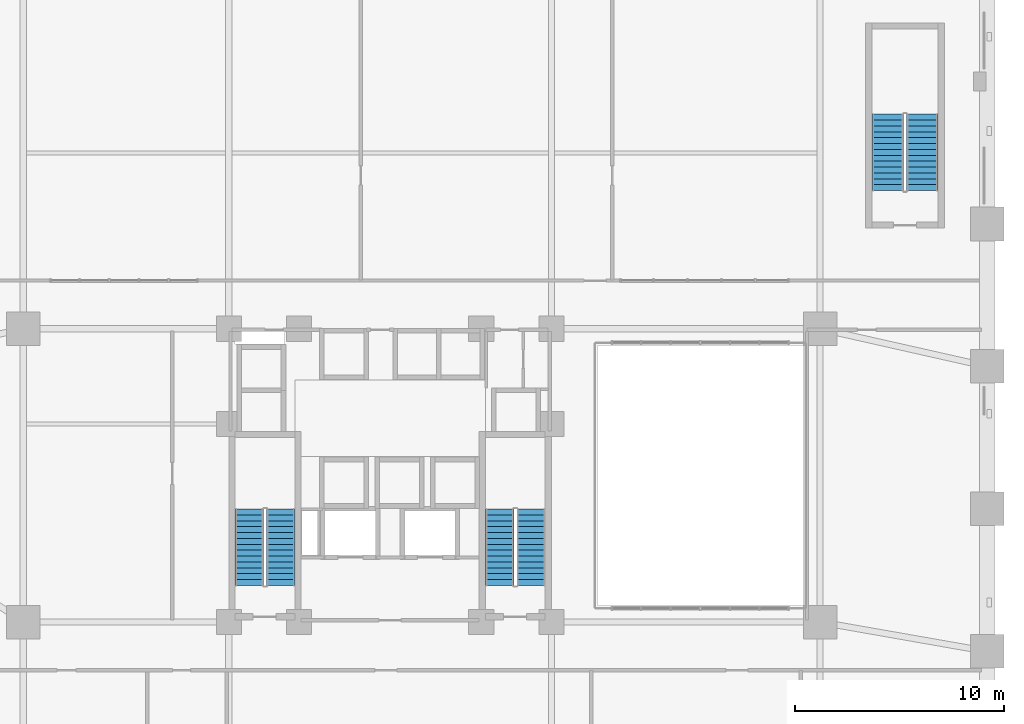
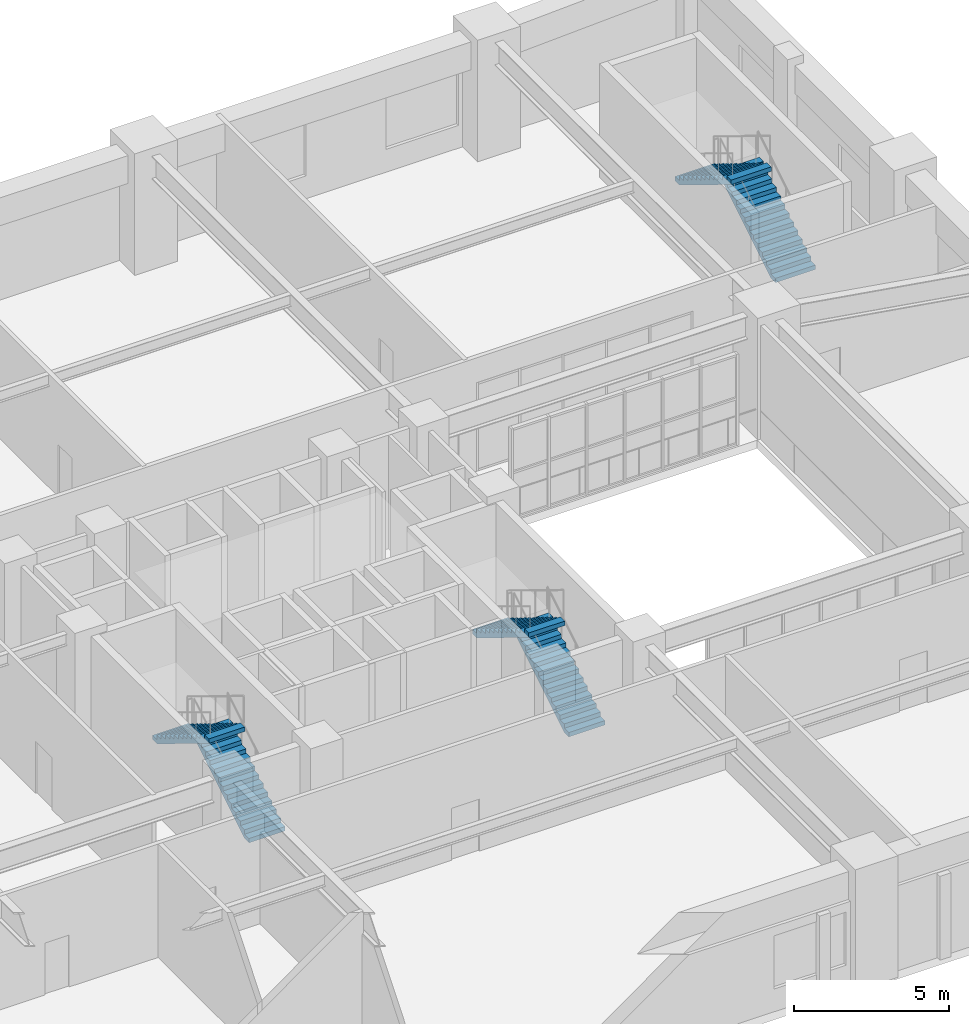
# One storey, part 9 of 13: 6 stair flights, 3 elements without a shape of their own.
"""IFC4 building model written with IfcOpenShell, lengths in metres."""

from ifc_helpers import new_model, si_unit, derived_unit, direction, frame, origin, place, context, subcontext, project, spatial, polyline, outline, extrude, material, type_object, element, aggregate, save


model = new_model("IFC4")

# Units and contexts
model_context = context("Model", 3, precision=1e-05, world=origin(), true_north=direction((0.0, 1.0)))
body_context = subcontext(model_context, "Body", "Model", "MODEL_VIEW")
ifc_project = project(units=[si_unit("LENGTHUNIT", "METRE"), si_unit("AREAUNIT", "SQUARE_METRE"), si_unit("VOLUMEUNIT", "CUBIC_METRE"), si_unit("PLANEANGLEUNIT", "RADIAN"), si_unit("MASSUNIT", "GRAM", prefix="KILO"), derived_unit("THERMALTRANSMITTANCEUNIT", [(si_unit("MASSUNIT", "GRAM", prefix="KILO"), 1), (si_unit("TIMEUNIT", "SECOND"), -3), (si_unit("THERMODYNAMICTEMPERATUREUNIT", "KELVIN"), -1)])], contexts=[model_context])

# Site, building, storey
site_placement = place(None, origin())
site = spatial("IfcSite", under=ifc_project, at=site_placement, CompositionType="ELEMENT")
building_placement = place(site_placement, origin())
building = spatial("IfcBuilding", under=site, at=building_placement, Name="Korrvale Station Residences", CompositionType="ELEMENT")
storey_placement = place(building_placement, frame((0.0, 0.0, 11.199951171875)))
storey = spatial("IfcBuildingStorey", under=building, at=storey_placement, Name="L02", CompositionType="ELEMENT", Elevation=11.199951171875)

# Stair, stair flights
ifc_material = material(Name="Concrete C50/60", Category="concrete")
stair_type_1 = type_object("IfcStairType", Name="STR-DL-1350-28R-1714", PredefinedType="HALF_TURN_STAIR", material=ifc_material)
stair_1_placement = place(storey_placement, origin())
stair_1 = element("IfcStair", 1, at=stair_1_placement, inside=storey, type_object=stair_type_1, Name="L02 Exit Stair 1", PredefinedType="HALF_TURN_STAIR")
stair_flight_type_1 = type_object("IfcStairFlightType", Name="FLT-DL-1350-28R-1714", PredefinedType="STRAIGHT", material=ifc_material)
stair_flight_1_placement = place(storey_placement, frame((20.27490234375, 16.75, 0.0), z_axis=(0.0, 0.0, 1.0), x_axis=(0.0, 1.0, 0.0)))
stair_flight_1 = element("IfcStairFlight", 2, at=stair_flight_1_placement, type_object=stair_flight_type_1, Name="ST-1 flight 1", NumberOfRisers=14, NumberOfTreads=13, PredefinedType="STRAIGHT", RiserHeight=0.171428571, TreadLength=0.28, context=body_context, shape_type="SweptSolid", body=[
    extrude(outline(polyline([(0.0, 0.0), (0.0, 0.17138671875), (0.280029296875, 0.17138671875), (0.280029296875, 0.3427734375), (0.56005859375, 0.3427734375), (0.56005859375, 0.514404296875), (0.840087890625, 0.514404296875), (0.840087890625, 0.685791015625), (1.1201171875, 0.685791015625), (1.1201171875, 0.857177734375), (1.39990234375, 0.857177734375), (1.39990234375, 1.028564453125), (1.679931640625, 1.028564453125), (1.679931640625, 1.199951171875), (1.9599609375, 1.199951171875), (1.9599609375, 1.371337890625), (2.239990234375, 1.371337890625), (2.239990234375, 1.54296875), (2.52001953125, 1.54296875), (2.52001953125, 1.71435546875), (2.800048828125, 1.71435546875), (2.800048828125, 1.8857421875), (3.080078125, 1.8857421875), (3.080078125, 2.05712890625), (3.360107421875, 2.05712890625), (3.360107421875, 2.228515625), (3.639892578125, 2.228515625), (3.639892578125, 2.39990234375), (3.639892578125, 2.052734375), (0.287109375, 0.0), (0.0, 0.0)])), frame((0.0, 0.675048828125, 0.0), z_axis=(0.0, -1.0, 0.0), x_axis=(1.0, 0.0, 0.0)), (0.0, 0.0, 1.0), 1.35009765625),
])
stair_flight_2_placement = place(storey_placement, frame((18.77490234375, 20.389892578125, 2.400146484375), z_axis=(0.0, 0.0, 1.0), x_axis=(0.0, -1.0, 0.0)))
stair_flight_2 = element("IfcStairFlight", 3, at=stair_flight_2_placement, type_object=stair_flight_type_1, Name="ST-1 flight 2", NumberOfRisers=14, NumberOfTreads=13, PredefinedType="STRAIGHT", RiserHeight=0.171428571, TreadLength=0.28, context=body_context, shape_type="SweptSolid", body=[
    extrude(outline(polyline([(0.0, 0.0), (0.0, 0.17138671875), (0.280029296875, 0.17138671875), (0.280029296875, 0.3427734375), (0.56005859375, 0.3427734375), (0.56005859375, 0.514404296875), (0.840087890625, 0.514404296875), (0.840087890625, 0.685791015625), (1.1201171875, 0.685791015625), (1.1201171875, 0.857177734375), (1.39990234375, 0.857177734375), (1.39990234375, 1.028564453125), (1.679931640625, 1.028564453125), (1.679931640625, 1.199951171875), (1.9599609375, 1.199951171875), (1.9599609375, 1.371337890625), (2.239990234375, 1.371337890625), (2.239990234375, 1.54296875), (2.52001953125, 1.54296875), (2.52001953125, 1.71435546875), (2.800048828125, 1.71435546875), (2.800048828125, 1.8857421875), (3.080078125, 1.8857421875), (3.080078125, 2.05712890625), (3.360107421875, 2.05712890625), (3.360107421875, 2.228515625), (3.639892578125, 2.228515625), (3.639892578125, 2.39990234375), (3.639892578125, 2.052734375), (0.287109375, 0.0), (0.0, 0.0)])), frame((0.0, 0.675048828125, 0.0), z_axis=(0.0, -1.0, 0.0), x_axis=(1.0, 0.0, 0.0)), (0.0, 0.0, 1.0), 1.35009765625),
])
aggregate(stair_1, [stair_flight_1, stair_flight_2])

stair_2_placement = place(storey_placement, origin())
stair_2 = element("IfcStair", 4, at=stair_2_placement, inside=storey, type_object=stair_type_1, Name="L02 Exit Stair 2", PredefinedType="HALF_TURN_STAIR")
stair_flight_3_placement = place(storey_placement, frame((32.22509765625, 16.75, 0.0), z_axis=(0.0, 0.0, 1.0), x_axis=(0.0, 1.0, 0.0)))
stair_flight_3 = element("IfcStairFlight", 5, at=stair_flight_3_placement, type_object=stair_flight_type_1, Name="ST-2 flight 1", NumberOfRisers=14, NumberOfTreads=13, PredefinedType="STRAIGHT", RiserHeight=0.171428571, TreadLength=0.28, context=body_context, shape_type="SweptSolid", body=[
    extrude(outline(polyline([(0.0, 0.0), (0.0, 0.17138671875), (0.280029296875, 0.17138671875), (0.280029296875, 0.3427734375), (0.56005859375, 0.3427734375), (0.56005859375, 0.514404296875), (0.840087890625, 0.514404296875), (0.840087890625, 0.685791015625), (1.1201171875, 0.685791015625), (1.1201171875, 0.857177734375), (1.39990234375, 0.857177734375), (1.39990234375, 1.028564453125), (1.679931640625, 1.028564453125), (1.679931640625, 1.199951171875), (1.9599609375, 1.199951171875), (1.9599609375, 1.371337890625), (2.239990234375, 1.371337890625), (2.239990234375, 1.54296875), (2.52001953125, 1.54296875), (2.52001953125, 1.71435546875), (2.800048828125, 1.71435546875), (2.800048828125, 1.8857421875), (3.080078125, 1.8857421875), (3.080078125, 2.05712890625), (3.360107421875, 2.05712890625), (3.360107421875, 2.228515625), (3.639892578125, 2.228515625), (3.639892578125, 2.39990234375), (3.639892578125, 2.052734375), (0.287109375, 0.0), (0.0, 0.0)])), frame((0.0, 0.675048828125, 0.0), z_axis=(0.0, -1.0, 0.0), x_axis=(1.0, 0.0, 0.0)), (0.0, 0.0, 1.0), 1.35009765625),
])
stair_flight_4_placement = place(storey_placement, frame((30.72509765625, 20.389892578125, 2.400146484375), z_axis=(0.0, 0.0, 1.0), x_axis=(0.0, -1.0, 0.0)))
stair_flight_4 = element("IfcStairFlight", 6, at=stair_flight_4_placement, type_object=stair_flight_type_1, Name="ST-2 flight 2", NumberOfRisers=14, NumberOfTreads=13, PredefinedType="STRAIGHT", RiserHeight=0.171428571, TreadLength=0.28, context=body_context, shape_type="SweptSolid", body=[
    extrude(outline(polyline([(0.0, 0.0), (0.0, 0.17138671875), (0.280029296875, 0.17138671875), (0.280029296875, 0.3427734375), (0.56005859375, 0.3427734375), (0.56005859375, 0.514404296875), (0.840087890625, 0.514404296875), (0.840087890625, 0.685791015625), (1.1201171875, 0.685791015625), (1.1201171875, 0.857177734375), (1.39990234375, 0.857177734375), (1.39990234375, 1.028564453125), (1.679931640625, 1.028564453125), (1.679931640625, 1.199951171875), (1.9599609375, 1.199951171875), (1.9599609375, 1.371337890625), (2.239990234375, 1.371337890625), (2.239990234375, 1.54296875), (2.52001953125, 1.54296875), (2.52001953125, 1.71435546875), (2.800048828125, 1.71435546875), (2.800048828125, 1.8857421875), (3.080078125, 1.8857421875), (3.080078125, 2.05712890625), (3.360107421875, 2.05712890625), (3.360107421875, 2.228515625), (3.639892578125, 2.228515625), (3.639892578125, 2.39990234375), (3.639892578125, 2.052734375), (0.287109375, 0.0), (0.0, 0.0)])), frame((0.0, 0.675048828125, 0.0), z_axis=(0.0, -1.0, 0.0), x_axis=(1.0, 0.0, 0.0)), (0.0, 0.0, 1.0), 1.35009765625),
])
aggregate(stair_2, [stair_flight_3, stair_flight_4])

stair_type_2 = type_object("IfcStairType", Name="STR-DL-1500-28R-1714", PredefinedType="HALF_TURN_STAIR", material=ifc_material)
stair_3_placement = place(storey_placement, origin())
stair_3 = element("IfcStair", 7, at=stair_3_placement, inside=storey, type_object=stair_type_2, Name="L02 Station Exit Stair 4", PredefinedType="HALF_TURN_STAIR")
stair_flight_type_2 = type_object("IfcStairFlightType", Name="FLT-DL-1500-28R-1714", PredefinedType="STRAIGHT", material=ifc_material)
stair_flight_5_placement = place(storey_placement, frame((50.89990234375, 35.60009765625, 0.0), z_axis=(0.0, 0.0, 1.0), x_axis=(0.0, 1.0, 0.0)))
stair_flight_5 = element("IfcStairFlight", 8, at=stair_flight_5_placement, type_object=stair_flight_type_2, Name="ST-4 flight 1", NumberOfRisers=14, NumberOfTreads=13, PredefinedType="STRAIGHT", RiserHeight=0.171428571, TreadLength=0.28, context=body_context, shape_type="SweptSolid", body=[
    extrude(outline(polyline([(0.0, 0.0), (0.0, 0.17138671875), (0.280029296875, 0.17138671875), (0.280029296875, 0.3427734375), (0.56005859375, 0.3427734375), (0.56005859375, 0.514404296875), (0.840087890625, 0.514404296875), (0.840087890625, 0.685791015625), (1.1201171875, 0.685791015625), (1.1201171875, 0.857177734375), (1.39990234375, 0.857177734375), (1.39990234375, 1.028564453125), (1.679931640625, 1.028564453125), (1.679931640625, 1.199951171875), (1.9599609375, 1.199951171875), (1.9599609375, 1.371337890625), (2.239990234375, 1.371337890625), (2.239990234375, 1.54296875), (2.52001953125, 1.54296875), (2.52001953125, 1.71435546875), (2.800048828125, 1.71435546875), (2.800048828125, 1.8857421875), (3.080078125, 1.8857421875), (3.080078125, 2.05712890625), (3.360107421875, 2.05712890625), (3.360107421875, 2.228515625), (3.639892578125, 2.228515625), (3.639892578125, 2.39990234375), (3.639892578125, 2.052734375), (0.287109375, 0.0), (0.0, 0.0)])), frame((0.0, 0.75, 0.0), z_axis=(0.0, -1.0, 0.0), x_axis=(1.0, 0.0, 0.0)), (0.0, 0.0, 1.0), 1.5),
])
stair_flight_6_placement = place(storey_placement, frame((49.25, 39.239990234375, 2.400146484375), z_axis=(0.0, 0.0, 1.0), x_axis=(0.0, -1.0, 0.0)))
stair_flight_6 = element("IfcStairFlight", 9, at=stair_flight_6_placement, type_object=stair_flight_type_2, Name="ST-4 flight 2", NumberOfRisers=14, NumberOfTreads=13, PredefinedType="STRAIGHT", RiserHeight=0.171428571, TreadLength=0.28, context=body_context, shape_type="SweptSolid", body=[
    extrude(outline(polyline([(0.0, 0.0), (0.0, 0.17138671875), (0.280029296875, 0.17138671875), (0.280029296875, 0.3427734375), (0.56005859375, 0.3427734375), (0.56005859375, 0.514404296875), (0.840087890625, 0.514404296875), (0.840087890625, 0.685791015625), (1.1201171875, 0.685791015625), (1.1201171875, 0.857177734375), (1.39990234375, 0.857177734375), (1.39990234375, 1.028564453125), (1.679931640625, 1.028564453125), (1.679931640625, 1.199951171875), (1.9599609375, 1.199951171875), (1.9599609375, 1.371337890625), (2.239990234375, 1.371337890625), (2.239990234375, 1.54296875), (2.52001953125, 1.54296875), (2.52001953125, 1.71435546875), (2.800048828125, 1.71435546875), (2.800048828125, 1.8857421875), (3.080078125, 1.8857421875), (3.080078125, 2.05712890625), (3.360107421875, 2.05712890625), (3.360107421875, 2.228515625), (3.639892578125, 2.228515625), (3.639892578125, 2.39990234375), (3.639892578125, 2.052734375), (0.287109375, 0.0), (0.0, 0.0)])), frame((0.0, 0.75, 0.0), z_axis=(0.0, -1.0, 0.0), x_axis=(1.0, 0.0, 0.0)), (0.0, 0.0, 1.0), 1.5),
])
aggregate(stair_3, [stair_flight_5, stair_flight_6])

save(model, "model.ifc")
